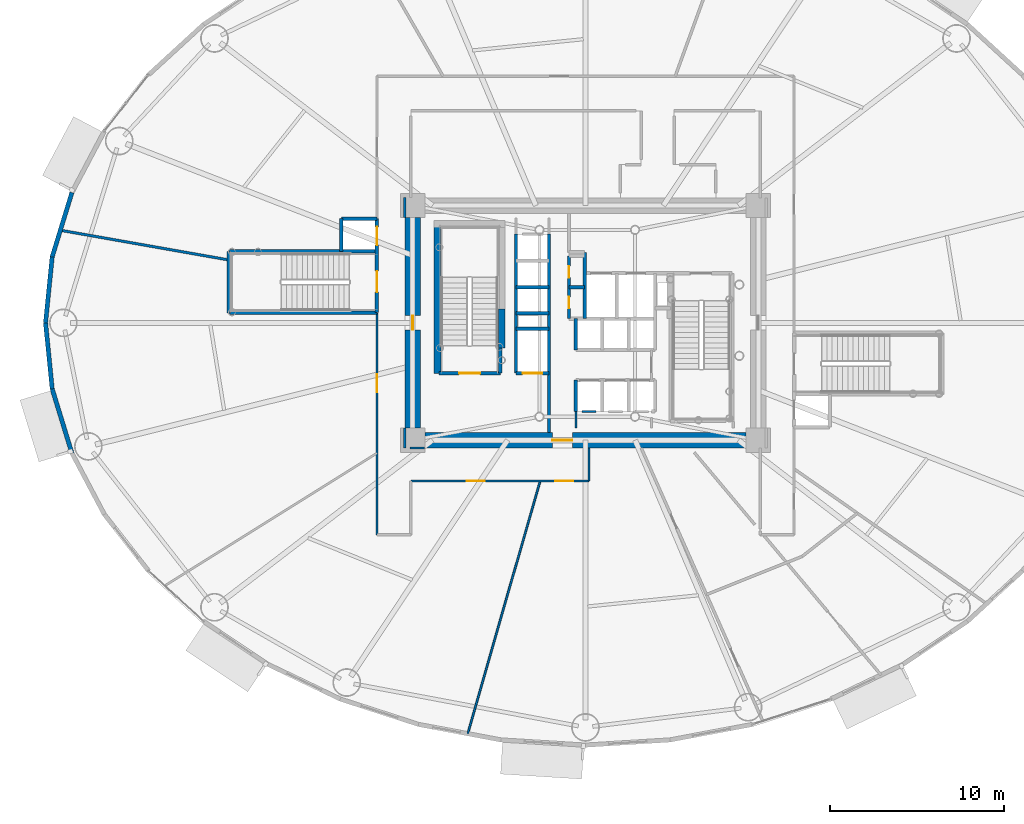
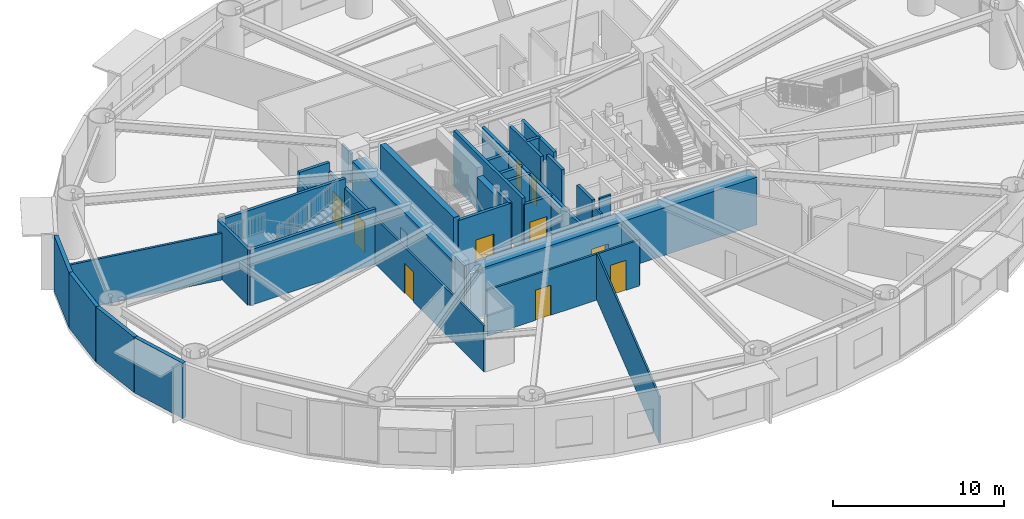
# One storey, part 13 of 28: 37 walls, 11 doors, 11 openings.
"""IFC4 building model written with IfcOpenShell, lengths in metres."""

from ifc_helpers import new_model, si_unit, direction, frame, frame_2d, origin, origin_2d, place, context, subcontext, project, spatial, rectangle, extrude, source, transform, mapped, material, layer, layer_set, type_object, element, fill, save


model = new_model("IFC4")

# Units and contexts
model_context = context("Model", 3, precision=1e-05, world=origin(), true_north=direction((0.0, 1.0)))
body_context = subcontext(model_context, "Body", "Model", "MODEL_VIEW")
ifc_project = project(units=[si_unit("LENGTHUNIT", "METRE"), si_unit("AREAUNIT", "SQUARE_METRE"), si_unit("VOLUMEUNIT", "CUBIC_METRE"), si_unit("PLANEANGLEUNIT", "RADIAN"), si_unit("MASSUNIT", "GRAM", prefix="KILO")], contexts=[model_context])

# Site, building, storey
site_placement = place(None, origin())
site = spatial("IfcSite", under=ifc_project, at=site_placement, CompositionType="ELEMENT")
building_placement = place(site_placement, origin())
building = spatial("IfcBuilding", under=site, at=building_placement, Name="Linh Dai School and Residence Tower", CompositionType="ELEMENT")
storey_placement = place(building_placement, frame((0.0, 0.0, 36.60009765625)))
storey = spatial("IfcBuildingStorey", under=building, at=storey_placement, Name="L08", CompositionType="ELEMENT", Elevation=36.60009765625)

# Walls
ifc_material_1 = material(Name="Precast Concrete B45 (C35/45)", Category="concrete")
ifc_layer_1 = layer(ifc_material_1, 0.25)
ifc_layer_set_1 = layer_set([ifc_layer_1], Name="Precast Concrete B45 (C35/45)")
wall_type_1 = type_object("IfcWallType", Name="EW-TC-250", PredefinedType="SOLIDWALL", material=ifc_layer_set_1)
wall_1_placement = place(storey_placement, frame((5.306640625, 30.796875, 0.0), z_axis=(0.0, 0.0, 1.0), x_axis=(0.293111631758, 0.956078224482, 0.0)))
element("IfcWall", 1, at=wall_1_placement, inside=storey, type_object=wall_type_1, Name="L08 Terracotta Exterior Wall 19", PredefinedType="SOLIDWALL", context=body_context, shape_type="SweptSolid", body=[
    extrude(rectangle(XDim=3.874755859375, YDim=0.25, at=frame_2d((1.9375, 0.0))), origin(), (0.0, 0.0, 1.0), 3.949951171875),
])
for number, where, z_axis, x_axis, name in (
    (2, (4.925048828125, 27.0, 0.0), (0.0, 0.0, 1.0), (0.099997795174, 0.994987658698, 0.0), "L08 Terracotta Exterior Wall 20"),
    (3, (5.306640625, 23.203125, 0.0), (0.0, 0.0, 1.0), (-0.099997795174, 0.994987658698, 0.0), "L08 Terracotta Exterior Wall 21"),
):
    element("IfcWall", number, at=place(storey_placement, frame(where, z_axis=z_axis, x_axis=x_axis)), inside=storey, type_object=wall_type_1, Name=name, PredefinedType="SOLIDWALL", context=body_context, shape_type="SweptSolid", body=[
        extrude(rectangle(XDim=3.81591796875, YDim=0.25, at=frame_2d((1.907958984375, 0.0))), origin(), (0.0, 0.0, 1.0), 3.949951171875),
    ])
wall_2_placement = place(storey_placement, frame((6.4423828125, 19.49853515625, 0.0), z_axis=(0.0, 0.0, 1.0), x_axis=(-0.293111631758, 0.956078224482, 0.0)))
element("IfcWall", 4, at=wall_2_placement, inside=storey, type_object=wall_type_1, Name="L08 Terracotta Exterior Wall 22", PredefinedType="SOLIDWALL", context=body_context, shape_type="SweptSolid", body=[
    extrude(rectangle(XDim=3.874755859375, YDim=0.25, at=frame_2d((1.9375, 0.0))), origin(), (0.0, 0.0, 1.0), 3.949951171875),
])

# Wall, opening, door
ifc_material_2 = material(Name="Autoclaved Aerated Concrete Blockwork", Category="masonry")
ifc_layer_2 = layer(ifc_material_2, 0.135009765625)
ifc_layer_set_2 = layer_set([ifc_layer_2], Name="Autoclaved Aerated Concrete Blockwork")
wall_type_2 = type_object("IfcWallType", Name="IW-CORR-135-EI90", PredefinedType="PARTITIONING", material=ifc_layer_set_2)
wall_3_placement = place(storey_placement, frame((24.0, 14.800048828125, 0.0), z_axis=(0.0, 0.0, 1.0), x_axis=(0.0, 1.0, 0.0)))
wall_3 = element("IfcWall", 5, at=wall_3_placement, inside=storey, type_object=wall_type_2, Name="L08 Interior Partition Wall 009", PredefinedType="PARTITIONING", context=body_context, shape_type="SweptSolid", body=[
    extrude(rectangle(XDim=12.780029296875, YDim=0.135009765625, at=frame_2d((6.39013671875, 0.0))), origin(), (0.0, 0.0, 1.0), 3.284912109375),
])
opening_1_placement = place(wall_3_placement, frame((8.19580078125, 0.0, 0.0)))
opening_1 = element("IfcOpeningElement", 6, at=opening_1_placement, cuts=wall_3, Name="Opening D04", PredefinedType="OPENING", context=body_context, shape_type="SweptSolid", body=[
    extrude(rectangle(XDim=1.050048828125, YDim=2.14990234375, at=origin_2d()), frame((0.52490234375, 0.07763671875, 1.074951171875), z_axis=(0.0, -1.0, 0.0), x_axis=(1.0, 0.0, 0.0)), (0.0, 0.0, 1.0), 0.155029296875),
])
ifc_material_3 = material(Name="Acoustic Vision-Panel Timber Classroom Door", Category="wood")
door_type_1 = type_object("IfcDoorType", Name="DR-SCH-1050x2150-FD60S", OperationType="NOTDEFINED", PredefinedType="DOOR", material=ifc_material_3)
shared_shape_1 = source(origin(), body_context, "Body", "SweptSolid", [
    extrude(rectangle(XDim=1.050048828125, YDim=2.14990234375, at=origin_2d()), frame((0.52490234375, 0.02490234375, 1.074951171875), z_axis=(0.0, -1.0, 0.0), x_axis=(1.0, 0.0, 0.0)), (0.0, 0.0, 1.0), 0.050048828125),
])
door_1_placement = place(opening_1_placement, origin())
door_1 = element("IfcDoor", 7, at=door_1_placement, inside=storey, type_object=door_type_1, Name="L08 Senior Classroom A Door", OperationType="SINGLE_SWING_LEFT", OverallHeight=2.14990234375, OverallWidth=1.050048828125, PredefinedType="DOOR", context=body_context, shape_type="MappedRepresentation", body=[
    mapped(shared_shape_1, transform((0.0, 0.0, 0.0), x_axis=(1.0, 0.0, 0.0), y_axis=(0.0, 1.0, 0.0), z_axis=(0.0, 0.0, 1.0), scale=1.0)),
])
fill(opening_1, door_1)

# Wall, openings, doors
wall_4_placement = place(storey_placement, frame((25.949951171875, 17.89990234375, 0.0), z_axis=(0.0, 0.0, 1.0), x_axis=(1.0, 0.0, 0.0)))
wall_4 = element("IfcWall", 8, at=wall_4_placement, inside=storey, type_object=wall_type_2, Name="L08 Interior Partition Wall 015", PredefinedType="PARTITIONING", context=body_context, shape_type="SweptSolid", body=[
    extrude(rectangle(XDim=10.25, YDim=0.135009765625, at=frame_2d((5.125, 0.0))), origin(), (0.0, 0.0, 1.0), 3.284912109375),
])
opening_2_placement = place(wall_4_placement, frame((3.21533203125, 0.0, 0.0)))
opening_2 = element("IfcOpeningElement", 9, at=opening_2_placement, cuts=wall_4, Name="Opening D04", PredefinedType="OPENING", context=body_context, shape_type="SweptSolid", body=[
    extrude(rectangle(XDim=1.050048828125, YDim=2.14990234375, at=origin_2d()), frame((0.52490234375, 0.07763671875, 1.074951171875), z_axis=(0.0, -1.0, 0.0), x_axis=(1.0, 0.0, 0.0)), (0.0, 0.0, 1.0), 0.155029296875),
])
opening_3_placement = place(wall_4_placement, frame((8.30029296875, 0.0, 0.0)))
opening_3 = element("IfcOpeningElement", 10, at=opening_3_placement, cuts=wall_4, Name="Opening D04", PredefinedType="OPENING", context=body_context, shape_type="SweptSolid", body=[
    extrude(rectangle(XDim=1.050048828125, YDim=2.14990234375, at=origin_2d()), frame((0.52490234375, 0.07763671875, 1.074951171875), z_axis=(0.0, -1.0, 0.0), x_axis=(1.0, 0.0, 0.0)), (0.0, 0.0, 1.0), 0.155029296875),
])
door_2_placement = place(opening_2_placement, origin())
door_2 = element("IfcDoor", 11, at=door_2_placement, inside=storey, type_object=door_type_1, Name="L08 Senior Classroom B Door", OperationType="SINGLE_SWING_RIGHT", OverallHeight=2.14990234375, OverallWidth=1.050048828125, PredefinedType="DOOR", context=body_context, shape_type="MappedRepresentation", body=[
    mapped(shared_shape_1, transform((0.0, 0.0, 0.0), x_axis=(1.0, 0.0, 0.0), y_axis=(0.0, 1.0, 0.0), z_axis=(0.0, 0.0, 1.0), scale=1.0)),
])
fill(opening_2, door_2)
door_3_placement = place(opening_3_placement, origin())
door_3 = element("IfcDoor", 12, at=door_3_placement, inside=storey, type_object=door_type_1, Name="L08 Senior Classroom C Door", OperationType="SINGLE_SWING_LEFT", OverallHeight=2.14990234375, OverallWidth=1.050048828125, PredefinedType="DOOR", context=body_context, shape_type="MappedRepresentation", body=[
    mapped(shared_shape_1, transform((0.0, 0.0, 0.0), x_axis=(1.0, 0.0, 0.0), y_axis=(0.0, 1.0, 0.0), z_axis=(0.0, 0.0, 1.0), scale=1.0)),
])
fill(opening_3, door_3)

# Walls
wall_5_placement = place(storey_placement, frame((36.199951171875, 17.89990234375, 0.0), z_axis=(0.0, 0.0, 1.0), x_axis=(0.0, 1.0, 0.0)))
element("IfcWall", 13, at=wall_5_placement, inside=storey, type_object=wall_type_2, Name="L08 Interior Partition Wall 038", PredefinedType="PARTITIONING", context=body_context, shape_type="SweptSolid", body=[
    extrude(rectangle(XDim=1.900146484375, YDim=0.135009765625, at=frame_2d((0.9501953125, 0.0))), origin(), (0.0, 0.0, 1.0), 3.284912109375),
])
wall_6_placement = place(storey_placement, frame((36.60009765625, 21.89990234375, 0.0), z_axis=(0.0, 0.0, 1.0), x_axis=(-1.0, 0.0, 0.0)))
element("IfcWall", 14, at=wall_6_placement, inside=storey, type_object=wall_type_2, Name="L08 Interior Partition Wall 069", PredefinedType="PARTITIONING", context=body_context, shape_type="SweptSolid", body=[
    extrude(rectangle(XDim=0.7900390625, YDim=0.135009765625, at=frame_2d((0.39501953125, 0.0))), origin(), (0.0, 0.0, 1.0), 3.949951171875),
])
wall_7_placement = place(storey_placement, frame((35.449951171875, 21.889892578125, 0.0), z_axis=(0.0, 0.0, 1.0), x_axis=(0.0, -1.0, 0.0)))
element("IfcWall", 15, at=wall_7_placement, inside=storey, type_object=wall_type_2, Name="L08 Interior Partition Wall 076", PredefinedType="PARTITIONING", context=body_context, shape_type="SweptSolid", body=[
    extrude(rectangle(XDim=0.929931640625, YDim=0.135009765625, at=frame_2d((0.46484375, 0.0))), origin(), (0.0, 0.0, 1.0), 3.534912109375),
])
for number, where, z_axis, x_axis, name in (
    (16, (25.60009765625, 34.199951171875, 0.0), (0.0, 0.0, 1.0), (0.0, -1.0, 0.0), "L08 Interior Partition Wall 091"),
    (17, (25.60009765625, 20.93994140625, 0.0), (0.0, 0.0, 1.0), (0.0, -1.0, 0.0), "L08 Interior Partition Wall 092"),
):
    element("IfcWall", number, at=place(storey_placement, frame(where, z_axis=z_axis, x_axis=x_axis)), inside=storey, type_object=wall_type_2, Name=name, PredefinedType="PARTITIONING", context=body_context, shape_type="SweptSolid", body=[
        extrude(rectangle(XDim=1.139892578125, YDim=0.135009765625, at=frame_2d((0.56982421875, 0.0))), origin(), (0.0, 0.0, 1.0), 3.949951171875),
    ])
wall_8_placement = place(storey_placement, frame((25.907470703125, 19.800048828125, 0.0), z_axis=(0.0, 0.0, 1.0), x_axis=(1.0, 0.0, 0.0)))
element("IfcWall", 18, at=wall_8_placement, inside=storey, type_object=wall_type_2, Name="L08 Interior Partition Wall 093", PredefinedType="PARTITIONING", context=body_context, shape_type="SweptSolid", body=[
    extrude(rectangle(XDim=0.83251953125, YDim=0.135009765625, at=frame_2d((0.416259765625, 0.0))), origin(), (0.0, 0.0, 1.0), 3.284912109375),
])
ifc_material_4 = material(Name="Acoustic Operable Timber Panel Partition", Category="wood")
ifc_layer_3 = layer(ifc_material_4, 0.110107421875)
ifc_layer_set_3 = layer_set([ifc_layer_3], Name="Acoustic Operable Timber Panel Partition")
wall_type_3 = type_object("IfcWallType", Name="IW-MOV-110", PredefinedType="MOVABLE", material=ifc_layer_set_3)
wall_9_placement = place(storey_placement, frame((29.218505859375, 3.349853515625, 0.0), z_axis=(0.0, 0.0, 1.0), x_axis=(0.275634900318, 0.961262400038, 0.0)))
element("IfcWall", 19, at=wall_9_placement, inside=storey, type_object=wall_type_3, Name="L08 Interior Partition Wall 017", PredefinedType="MOVABLE", context=body_context, shape_type="SweptSolid", body=[
    extrude(rectangle(XDim=15.136474609375, YDim=0.110107421875, at=frame_2d((7.568359375, 0.0))), origin(), (0.0, 0.0, 1.0), 3.3349609375),
])
ifc_layer_4 = layer(ifc_material_2, 0.14990234375)
ifc_layer_set_4 = layer_set([ifc_layer_4], Name="Autoclaved Aerated Concrete Blockwork")
wall_type_4 = type_object("IfcWallType", Name="IW-SCH-150-EI60", PredefinedType="PARTITIONING", material=ifc_layer_set_4)
wall_10_placement = place(storey_placement, frame((5.771484375, 32.330078125, 0.0), z_axis=(0.0, 0.0, 1.0), x_axis=(0.984806985247, -0.173652531825, 0.0)))
element("IfcWall", 20, at=wall_10_placement, inside=storey, type_object=wall_type_4, Name="L08 Interior Partition Wall 001", PredefinedType="PARTITIONING", context=body_context, shape_type="SweptSolid", body=[
    extrude(rectangle(XDim=9.858154296875, YDim=0.14990234375, at=frame_2d((4.92919921875, 0.0))), origin(), (0.0, 0.0, 1.0), 3.3349609375),
])
ifc_material_5 = material(Name="Concrete B45 (C35/45)", Category="concrete")
ifc_layer_5 = layer(ifc_material_5, 0.199951171875)
ifc_layer_set_5 = layer_set([ifc_layer_5], Name="Concrete B45 (C35/45)")
wall_type_5 = type_object("IfcWallType", Name="IW-SHAFT-200-EI120", PredefinedType="PARTITIONING", material=ifc_layer_set_5)
wall_11_placement = place(storey_placement, frame((15.47998046875, 27.580078125, 0.0), z_axis=(0.0, 0.0, 1.0), x_axis=(0.0, 1.0, 0.0)))
element("IfcWall", 21, at=wall_11_placement, inside=storey, type_object=wall_type_5, Name="L08 Interior Partition Wall 003", PredefinedType="PARTITIONING", context=body_context, shape_type="SweptSolid", body=[
    extrude(rectangle(XDim=3.5400390625, YDim=0.199951171875, at=frame_2d((1.77001953125, 0.0))), origin(), (0.0, 0.0, 1.0), 3.949951171875),
])
for number, where, z_axis, x_axis, name in (
    (22, (15.47998046875, 27.580078125, 0.0), (0.0, 0.0, 1.0), (1.0, 0.0, 0.0), "L08 Interior Partition Wall 004"),
    (23, (15.47998046875, 31.1201171875, 0.0), (0.0, 0.0, 1.0), (1.0, 0.0, 0.0), "L08 Interior Partition Wall 005"),
):
    element("IfcWall", number, at=place(storey_placement, frame(where, z_axis=z_axis, x_axis=x_axis)), inside=storey, type_object=wall_type_5, Name=name, PredefinedType="PARTITIONING", context=body_context, shape_type="SweptSolid", body=[
        extrude(rectangle(XDim=8.52001953125, YDim=0.199951171875, at=frame_2d((4.260009765625, 0.0))), origin(), (0.0, 0.0, 1.0), 3.949951171875),
    ])
wall_12_placement = place(storey_placement, frame((21.949951171875, 31.1201171875, 0.0), z_axis=(0.0, 0.0, 1.0), x_axis=(0.0, 1.0, 0.0)))
element("IfcWall", 24, at=wall_12_placement, inside=storey, type_object=wall_type_5, Name="L08 Interior Partition Wall 006", PredefinedType="PARTITIONING", context=body_context, shape_type="SweptSolid", body=[
    extrude(rectangle(XDim=1.8798828125, YDim=0.199951171875, at=frame_2d((0.93994140625, 0.0))), origin(), (0.0, 0.0, 1.0), 3.284912109375),
])
wall_13_placement = place(storey_placement, frame((21.949951171875, 33.0, 0.0), z_axis=(0.0, 0.0, 1.0), x_axis=(1.0, 0.0, 0.0)))
element("IfcWall", 25, at=wall_13_placement, inside=storey, type_object=wall_type_5, Name="L08 Interior Partition Wall 007", PredefinedType="PARTITIONING", context=body_context, shape_type="SweptSolid", body=[
    extrude(rectangle(XDim=2.050048828125, YDim=0.199951171875, at=frame_2d((1.02490234375, 0.0))), origin(), (0.0, 0.0, 1.0), 3.949951171875),
])

# Wall, openings, doors
wall_14_placement = place(storey_placement, frame((24.0, 27.590087890625, 0.0), z_axis=(0.0, 0.0, 1.0), x_axis=(0.0, 1.0, 0.0)))
wall_14 = element("IfcWall", 26, at=wall_14_placement, inside=storey, type_object=wall_type_5, Name="L08 Interior Partition Wall 011", PredefinedType="PARTITIONING", context=body_context, shape_type="SweptSolid", body=[
    extrude(rectangle(XDim=5.409912109375, YDim=0.199951171875, at=frame_2d((2.705078125, 0.0))), origin(), (0.0, 0.0, 1.0), 3.284912109375),
])
opening_4_placement = place(wall_14_placement, frame((1.18505859375, 0.0, 0.0)))
opening_4 = element("IfcOpeningElement", 27, at=opening_4_placement, cuts=wall_14, Name="Opening D01", PredefinedType="OPENING", context=body_context, shape_type="SweptSolid", body=[
    extrude(rectangle(XDim=1.199951171875, YDim=2.14990234375, at=origin_2d()), frame((0.60009765625, 0.10986328125, 1.074951171875), z_axis=(0.0, -1.0, 0.0), x_axis=(1.0, 0.0, 0.0)), (0.0, 0.0, 1.0), 0.219970703125),
])
opening_5_placement = place(wall_14_placement, frame((3.889892578125, 0.0, 0.0)))
opening_5 = element("IfcOpeningElement", 28, at=opening_5_placement, cuts=wall_14, Name="Opening LD-SL1", PredefinedType="OPENING", context=body_context, shape_type="SweptSolid", body=[
    extrude(rectangle(XDim=1.050048828125, YDim=2.14990234375, at=origin_2d()), frame((0.52490234375, 0.10986328125, 1.074951171875), z_axis=(0.0, -1.0, 0.0), x_axis=(1.0, 0.0, 0.0)), (0.0, 0.0, 1.0), 0.219970703125),
])
ifc_material_6 = material(Name="Fire-Rated Steel Door Leaf", Category="steel")
door_type_2 = type_object("IfcDoorType", Name="DR-STAIR-1200x2150-FD90S", OperationType="NOTDEFINED", PredefinedType="DOOR", material=ifc_material_6)
shared_shape_2 = source(origin(), body_context, "Body", "SweptSolid", [
    extrude(rectangle(XDim=1.199951171875, YDim=2.14990234375, at=origin_2d()), frame((0.60009765625, 0.02490234375, 1.074951171875), z_axis=(0.0, -1.0, 0.0), x_axis=(1.0, 0.0, 0.0)), (0.0, 0.0, 1.0), 0.050048828125),
])
door_4_placement = place(opening_4_placement, origin())
door_4 = element("IfcDoor", 29, at=door_4_placement, inside=storey, type_object=door_type_2, Name="L08 Exit Stair STS1 Door", OperationType="SINGLE_SWING_LEFT", OverallHeight=2.14990234375, OverallWidth=1.199951171875, PredefinedType="DOOR", context=body_context, shape_type="MappedRepresentation", body=[
    mapped(shared_shape_2, transform((0.0, 0.0, 0.0), x_axis=(1.0, 0.0, 0.0), y_axis=(0.0, 1.0, 0.0), z_axis=(0.0, 0.0, 1.0), scale=1.0)),
])
fill(opening_4, door_4)
ifc_material_7 = material(Name="Brushed Stainless Steel Lift Landing Door", Category="steel")
door_type_3 = type_object("IfcDoorType", Name="DR-LD-PASS-1050x2150", OperationType="DOUBLE_DOOR_SLIDING", PredefinedType="USERDEFINED", material=ifc_material_7)
shared_shape_3 = source(origin(), body_context, "Body", "SweptSolid", [
    extrude(rectangle(XDim=1.050048828125, YDim=2.14990234375, at=origin_2d()), frame((0.52490234375, 0.02490234375, 1.074951171875), z_axis=(0.0, -1.0, 0.0), x_axis=(1.0, 0.0, 0.0)), (0.0, 0.0, 1.0), 0.050048828125),
])
door_5_placement = place(opening_5_placement, origin())
door_5 = element("IfcDoor", 30, at=door_5_placement, inside=storey, type_object=door_type_3, Name="L08 Lift SL1 Sliding Landing Door", ObjectType="LANDING DOOR", OperationType="DOUBLE_DOOR_SLIDING", OverallHeight=2.14990234375, OverallWidth=1.050048828125, PredefinedType="USERDEFINED", context=body_context, shape_type="MappedRepresentation", body=[
    mapped(shared_shape_3, transform((0.0, 0.0, 0.0), x_axis=(1.0, 0.0, 0.0), y_axis=(0.0, 1.0, 0.0), z_axis=(0.0, 0.0, 1.0), scale=1.0)),
])
fill(opening_5, door_5)

# Wall, opening, door
wall_15_placement = place(storey_placement, frame((27.56005859375, 24.10009765625, 0.0), z_axis=(0.0, 0.0, 1.0), x_axis=(1.0, 0.0, 0.0)))
wall_15 = element("IfcWall", 31, at=wall_15_placement, inside=storey, type_object=wall_type_5, Name="L08 Interior Partition Wall 016", PredefinedType="PARTITIONING", context=body_context, shape_type="SweptSolid", body=[
    extrude(rectangle(XDim=3.5400390625, YDim=0.199951171875, at=frame_2d((1.77001953125, 0.0))), origin(), (0.0, 0.0, 1.0), 3.949951171875),
])
opening_6_placement = place(wall_15_placement, frame((1.169921875, 0.0, 0.0)))
opening_6 = element("IfcOpeningElement", 32, at=opening_6_placement, cuts=wall_15, Name="Opening D01", PredefinedType="OPENING", context=body_context, shape_type="SweptSolid", body=[
    extrude(rectangle(XDim=1.199951171875, YDim=2.14990234375, at=origin_2d()), frame((0.60009765625, 0.10986328125, 1.074951171875), z_axis=(0.0, -1.0, 0.0), x_axis=(1.0, 0.0, 0.0)), (0.0, 0.0, 1.0), 0.219970703125),
])
door_6_placement = place(opening_6_placement, origin())
door_6 = element("IfcDoor", 33, at=door_6_placement, inside=storey, type_object=door_type_2, Name="L08 Core Smokeproof Exit Stair ST1 Door", OperationType="SINGLE_SWING_LEFT", OverallHeight=2.14990234375, OverallWidth=1.199951171875, PredefinedType="DOOR", context=body_context, shape_type="MappedRepresentation", body=[
    mapped(shared_shape_2, transform((0.0, 0.0, 0.0), x_axis=(1.0, 0.0, 0.0), y_axis=(0.0, 1.0, 0.0), z_axis=(0.0, 0.0, 1.0), scale=1.0)),
])
fill(opening_6, door_6)

# Walls
wall_16_placement = place(storey_placement, frame((31.10009765625, 24.10009765625, 0.0), z_axis=(0.0, 0.0, 1.0), x_axis=(0.0, 1.0, 0.0)))
element("IfcWall", 34, at=wall_16_placement, inside=storey, type_object=wall_type_5, Name="L08 Interior Partition Wall 018", PredefinedType="PARTITIONING", context=body_context, shape_type="SweptSolid", body=[
    extrude(rectangle(XDim=1.43994140625, YDim=0.199951171875, at=frame_2d((0.719970703125, 0.0))), origin(), (0.0, 0.0, 1.0), 3.949951171875),
])
wall_17_placement = place(storey_placement, frame((32.0, 24.10009765625, 0.0), z_axis=(0.0, 0.0, 1.0), x_axis=(0.0, 1.0, 0.0)))
element("IfcWall", 35, at=wall_17_placement, inside=storey, type_object=wall_type_5, Name="L08 Interior Partition Wall 019", PredefinedType="PARTITIONING", context=body_context, shape_type="SweptSolid", body=[
    extrude(rectangle(XDim=8.0, YDim=0.199951171875, at=frame_2d((4.0, 0.0))), origin(), (0.0, 0.0, 1.0), 3.949951171875),
])

# Wall, opening, door
wall_18_placement = place(storey_placement, frame((32.0, 24.10009765625, 0.0), z_axis=(0.0, 0.0, 1.0), x_axis=(1.0, 0.0, 0.0)))
wall_18 = element("IfcWall", 36, at=wall_18_placement, inside=storey, type_object=wall_type_5, Name="L08 Interior Partition Wall 020", PredefinedType="PARTITIONING", context=body_context, shape_type="SweptSolid", body=[
    extrude(rectangle(XDim=1.89990234375, YDim=0.199951171875, at=frame_2d((0.949951171875, 0.0))), origin(), (0.0, 0.0, 1.0), 3.534912109375),
])
opening_7_placement = place(wall_18_placement, frame((0.375, 0.0, 0.0)))
opening_7 = element("IfcOpeningElement", 37, at=opening_7_placement, cuts=wall_18, Name="Opening LD-FF2", PredefinedType="OPENING", context=body_context, shape_type="SweptSolid", body=[
    extrude(rectangle(XDim=1.14990234375, YDim=2.14990234375, at=origin_2d()), frame((0.574951171875, 0.10986328125, 1.074951171875), z_axis=(0.0, -1.0, 0.0), x_axis=(1.0, 0.0, 0.0)), (0.0, 0.0, 1.0), 0.219970703125),
])
ifc_material_8 = material(Name="Fire-Rated Stainless Steel Firefighting Lift Door", Category="steel")
door_type_4 = type_object("IfcDoorType", Name="DR-LD-FF-1150x2150-FD120", OperationType="DOUBLE_DOOR_SLIDING", PredefinedType="USERDEFINED", material=ifc_material_8)
shared_shape_4 = source(origin(), body_context, "Body", "SweptSolid", [
    extrude(rectangle(XDim=1.14990234375, YDim=2.14990234375, at=origin_2d()), frame((0.574951171875, 0.02490234375, 1.074951171875), z_axis=(0.0, -1.0, 0.0), x_axis=(1.0, 0.0, 0.0)), (0.0, 0.0, 1.0), 0.050048828125),
])
door_7_placement = place(opening_7_placement, origin())
door_7 = element("IfcDoor", 38, at=door_7_placement, inside=storey, type_object=door_type_4, Name="L08 Lift FF2 Sliding Landing Door", ObjectType="LANDING DOOR", OperationType="DOUBLE_DOOR_SLIDING", OverallHeight=2.14990234375, OverallWidth=1.14990234375, PredefinedType="USERDEFINED", context=body_context, shape_type="MappedRepresentation", body=[
    mapped(shared_shape_4, transform((0.0, 0.0, 0.0), x_axis=(1.0, 0.0, 0.0), y_axis=(0.0, 1.0, 0.0), z_axis=(0.0, 0.0, 1.0), scale=1.0)),
])
fill(opening_7, door_7)

# Walls
for number, where, z_axis, x_axis, name in (
    (39, (32.0, 26.64990234375, 0.0), (0.0, 0.0, 1.0), (1.0, 0.0, 0.0), "L08 Interior Partition Wall 021"),
    (40, (32.0, 27.550048828125, 0.0), (0.0, 0.0, 1.0), (1.0, 0.0, 0.0), "L08 Interior Partition Wall 022"),
    (41, (32.0, 29.06005859375, 0.0), (0.0, 0.0, 1.0), (1.0, 0.0, 0.0), "L08 Interior Partition Wall 023"),
):
    element("IfcWall", number, at=place(storey_placement, frame(where, z_axis=z_axis, x_axis=x_axis)), inside=storey, type_object=wall_type_5, Name=name, PredefinedType="PARTITIONING", context=body_context, shape_type="SweptSolid", body=[
        extrude(rectangle(XDim=1.89990234375, YDim=0.199951171875, at=frame_2d((0.949951171875, 0.0))), origin(), (0.0, 0.0, 1.0), 3.534912109375),
    ])
wall_19_placement = place(storey_placement, frame((33.89990234375, 20.699951171875, 0.0), z_axis=(0.0, 0.0, 1.0), x_axis=(0.0, 1.0, 0.0)))
element("IfcWall", 42, at=wall_19_placement, inside=storey, type_object=wall_type_5, Name="L08 Interior Partition Wall 025", PredefinedType="PARTITIONING", context=body_context, shape_type="SweptSolid", body=[
    extrude(rectangle(XDim=11.400146484375, YDim=0.199951171875, at=frame_2d((5.7001953125, 0.0))), origin(), (0.0, 0.0, 1.0), 3.534912109375),
])

# Wall, openings, doors
wall_20_placement = place(storey_placement, frame((35.050048828125, 27.25, 0.0), z_axis=(0.0, 0.0, 1.0), x_axis=(0.0, 1.0, 0.0)))
wall_20 = element("IfcWall", 43, at=wall_20_placement, inside=storey, type_object=wall_type_5, Name="L08 Interior Partition Wall 026", PredefinedType="PARTITIONING", context=body_context, shape_type="SweptSolid", body=[
    extrude(rectangle(XDim=3.60009765625, YDim=0.199951171875, at=frame_2d((1.800048828125, 0.0))), origin(), (0.0, 0.0, 1.0), 3.949951171875),
])
opening_8_placement = place(wall_20_placement, frame((0.590087890625, 0.0, 0.0)))
opening_8 = element("IfcOpeningElement", 44, at=opening_8_placement, cuts=wall_20, Name="Opening AD1", PredefinedType="OPENING", context=body_context, shape_type="SweptSolid", body=[
    extrude(rectangle(XDim=0.659912109375, YDim=2.050048828125, at=origin_2d()), frame((0.330078125, 0.10986328125, 1.02490234375), z_axis=(0.0, -1.0, 0.0), x_axis=(1.0, 0.0, 0.0)), (0.0, 0.0, 1.0), 0.219970703125),
])
opening_9_placement = place(wall_20_placement, frame((2.35009765625, 0.0, 0.0)))
opening_9 = element("IfcOpeningElement", 45, at=opening_9_placement, cuts=wall_20, Name="Opening AD1", PredefinedType="OPENING", context=body_context, shape_type="SweptSolid", body=[
    extrude(rectangle(XDim=0.659912109375, YDim=2.050048828125, at=origin_2d()), frame((0.330078125, 0.10986328125, 1.02490234375), z_axis=(0.0, -1.0, 0.0), x_axis=(1.0, 0.0, 0.0)), (0.0, 0.0, 1.0), 0.219970703125),
])
ifc_material_9 = material(Name="Fire-Rated Steel Riser Access Door", Category="steel")
door_type_5 = type_object("IfcDoorType", Name="DR-ACC-660x2050-FD90S", OperationType="NOTDEFINED", PredefinedType="USERDEFINED", material=ifc_material_9)
shared_shape_5 = source(origin(), body_context, "Body", "SweptSolid", [
    extrude(rectangle(XDim=0.659912109375, YDim=2.050048828125, at=origin_2d()), frame((0.330078125, 0.02490234375, 1.02490234375), z_axis=(0.0, -1.0, 0.0), x_axis=(1.0, 0.0, 0.0)), (0.0, 0.0, 1.0), 0.050048828125),
])
door_8_placement = place(opening_8_placement, origin())
door_8 = element("IfcDoor", 46, at=door_8_placement, inside=storey, type_object=door_type_5, Name="L08 Telecom and Data Riser Access Door", ObjectType="ACCESS DOOR", OperationType="SINGLE_SWING_LEFT", OverallHeight=2.050048828125, OverallWidth=0.659912109375, PredefinedType="USERDEFINED", context=body_context, shape_type="MappedRepresentation", body=[
    mapped(shared_shape_5, transform((0.0, 0.0, 0.0), x_axis=(1.0, 0.0, 0.0), y_axis=(0.0, 1.0, 0.0), z_axis=(0.0, 0.0, 1.0), scale=1.0)),
])
fill(opening_8, door_8)
door_9_placement = place(opening_9_placement, origin())
door_9 = element("IfcDoor", 47, at=door_9_placement, inside=storey, type_object=door_type_5, Name="L08 Mechanical and Plumbing Riser Access Door", ObjectType="ACCESS DOOR", OperationType="SINGLE_SWING_RIGHT", OverallHeight=2.050048828125, OverallWidth=0.659912109375, PredefinedType="USERDEFINED", context=body_context, shape_type="MappedRepresentation", body=[
    mapped(shared_shape_5, transform((0.0, 0.0, 0.0), x_axis=(1.0, 0.0, 0.0), y_axis=(0.0, 1.0, 0.0), z_axis=(0.0, 0.0, 1.0), scale=1.0)),
])
fill(opening_9, door_9)

# Walls
wall_21_placement = place(storey_placement, frame((35.050048828125, 29.050048828125, 0.0), z_axis=(0.0, 0.0, 1.0), x_axis=(1.0, 0.0, 0.0)))
element("IfcWall", 48, at=wall_21_placement, inside=storey, type_object=wall_type_5, Name="L08 Interior Partition Wall 028", PredefinedType="PARTITIONING", context=body_context, shape_type="SweptSolid", body=[
    extrude(rectangle(XDim=0.89990234375, YDim=0.199951171875, at=frame_2d((0.449951171875, 0.0))), origin(), (0.0, 0.0, 1.0), 3.949951171875),
])
for number, where, z_axis, x_axis, name in (
    (49, (35.449951171875, 21.89990234375, 0.0), (0.0, 0.0, 1.0), (0.0, 1.0, 0.0), "L08 Interior Partition Wall 032"),
    (50, (35.449951171875, 25.449951171875, 0.0), (0.0, 0.0, 1.0), (0.0, 1.0, 0.0), "L08 Interior Partition Wall 034"),
):
    element("IfcWall", number, at=place(storey_placement, frame(where, z_axis=z_axis, x_axis=x_axis)), inside=storey, type_object=wall_type_5, Name=name, PredefinedType="PARTITIONING", context=body_context, shape_type="SweptSolid", body=[
        extrude(rectangle(XDim=1.800048828125, YDim=0.199951171875, at=frame_2d((0.89990234375, 0.0))), origin(), (0.0, 0.0, 1.0), 3.949951171875),
    ])
wall_22_placement = place(storey_placement, frame((35.949951171875, 27.25, 0.0), z_axis=(0.0, 0.0, 1.0), x_axis=(0.0, 1.0, 0.0)))
element("IfcWall", 51, at=wall_22_placement, inside=storey, type_object=wall_type_5, Name="L08 Interior Partition Wall 036", PredefinedType="PARTITIONING", context=body_context, shape_type="SweptSolid", body=[
    extrude(rectangle(XDim=3.800048828125, YDim=0.199951171875, at=frame_2d((1.89990234375, 0.0))), origin(), (0.0, 0.0, 1.0), 3.949951171875),
])
ifc_layer_6 = layer(ifc_material_5, 0.39990234375)
ifc_layer_set_6 = layer_set([ifc_layer_6], Name="Concrete B45 (C35/45)")
wall_type_6 = type_object("IfcWallType", Name="WL-CORE400", PredefinedType="SHEAR", material=ifc_layer_set_6)
wall_23_placement = place(storey_placement, frame((27.47998046875, 24.10009765625, 0.0), z_axis=(0.0, 0.0, 1.0), x_axis=(0.0, 1.0, 0.0)))
element("IfcWall", 52, at=wall_23_placement, inside=storey, type_object=wall_type_6, Name="L08 Core Stair ST1 Bearing Wall W", PredefinedType="SHEAR", context=body_context, shape_type="SweptSolid", body=[
    extrude(rectangle(XDim=8.599853515625, YDim=0.39990234375, at=frame_2d((4.2998046875, 0.0))), origin(), (0.0, 0.0, 1.0), 4.199951171875),
])
wall_24_placement = place(storey_placement, frame((31.179931640625, 25.550048828125, 0.0), z_axis=(0.0, 0.0, 1.0), x_axis=(0.0, 1.0, 0.0)))
element("IfcWall", 53, at=wall_24_placement, inside=storey, type_object=wall_type_6, Name="L08 Internal Core Shear Wall IW", PredefinedType="SHEAR", context=body_context, shape_type="SweptSolid", body=[
    extrude(rectangle(XDim=2.25, YDim=0.39990234375, at=frame_2d((1.125, 0.0))), origin(), (0.0, 0.0, 1.0), 3.5498046875),
])

# Wall, opening, door
ifc_material_10 = material(Name="Concrete B60 (C50/60)", Category="concrete")
ifc_layer_7 = layer(ifc_material_10, 0.89990234375)
ifc_layer_set_7 = layer_set([ifc_layer_7], Name="Concrete B60 (C50/60)")
wall_type_7 = type_object("IfcWallType", Name="WL-CORE900", PredefinedType="SHEAR", material=ifc_layer_set_7)
wall_25_placement = place(storey_placement, frame((45.25, 20.25, 0.0), z_axis=(0.0, 0.0, 1.0), x_axis=(-1.0, 0.0, 0.0)))
wall_25 = element("IfcWall", 54, at=wall_25_placement, inside=storey, type_object=wall_type_7, Name="L08 Central Core Shear Wall S", PredefinedType="SHEAR", context=body_context, shape_type="SweptSolid", body=[
    extrude(rectangle(XDim=18.5, YDim=0.89990234375, at=frame_2d((9.25, 0.0))), origin(), (0.0, 0.0, 1.0), 3.39990234375),
])
opening_10_placement = place(wall_25_placement, frame((10.0, 0.0, 0.0)))
opening_10 = element("IfcOpeningElement", 55, at=opening_10_placement, cuts=wall_25, Name="Opening D02", PredefinedType="OPENING", context=body_context, shape_type="SweptSolid", body=[
    extrude(rectangle(XDim=1.14990234375, YDim=2.14990234375, at=origin_2d()), frame((0.574951171875, 0.4599609375, 1.074951171875), z_axis=(0.0, -1.0, 0.0), x_axis=(1.0, 0.0, 0.0)), (0.0, 0.0, 1.0), 0.919921875),
])
ifc_material_11 = material(Name="Fire-Rated Glazed Steel Lobby Door", Category="steel")
door_type_6 = type_object("IfcDoorType", Name="DR-LOBBY-1150x2150-FD90S", OperationType="NOTDEFINED", PredefinedType="DOOR", material=ifc_material_11)
shared_shape_6 = source(origin(), body_context, "Body", "SweptSolid", [
    extrude(rectangle(XDim=1.14990234375, YDim=2.14990234375, at=origin_2d()), frame((0.574951171875, 0.02490234375, 1.074951171875), z_axis=(0.0, -1.0, 0.0), x_axis=(1.0, 0.0, 0.0)), (0.0, 0.0, 1.0), 0.050048828125),
])
door_10_placement = place(opening_10_placement, origin())
door_10 = element("IfcDoor", 56, at=door_10_placement, inside=storey, type_object=door_type_6, Name="L08 Passenger Foyer Access Door", OperationType="SINGLE_SWING_RIGHT", OverallHeight=2.14990234375, OverallWidth=1.14990234375, PredefinedType="DOOR", context=body_context, shape_type="MappedRepresentation", body=[
    mapped(shared_shape_6, transform((0.0, 0.0, 0.0), x_axis=(1.0, 0.0, 0.0), y_axis=(0.0, 1.0, 0.0), z_axis=(0.0, 0.0, 1.0), scale=1.0)),
])
fill(opening_10, door_10)

wall_26_placement = place(storey_placement, frame((26.050048828125, 20.949951171875, 0.0), z_axis=(0.0, 0.0, 1.0), x_axis=(0.0, 1.0, 0.0)))
wall_26 = element("IfcWall", 57, at=wall_26_placement, inside=storey, type_object=wall_type_7, Name="L08 Central Core Shear Wall W", PredefinedType="SHEAR", context=body_context, shape_type="SweptSolid", body=[
    extrude(rectangle(XDim=12.10009765625, YDim=0.89990234375, at=frame_2d((6.050048828125, 0.0))), origin(), (0.0, 0.0, 1.0), 3.39990234375),
])
opening_11_placement = place(wall_26_placement, frame((5.639892578125, 0.0, 0.0)))
opening_11 = element("IfcOpeningElement", 58, at=opening_11_placement, cuts=wall_26, Name="Opening D06", PredefinedType="OPENING", context=body_context, shape_type="SweptSolid", body=[
    extrude(rectangle(XDim=0.820068359375, YDim=2.10009765625, at=origin_2d()), frame((0.41015625, 0.4599609375, 1.050048828125), z_axis=(0.0, -1.0, 0.0), x_axis=(1.0, 0.0, 0.0)), (0.0, 0.0, 1.0), 0.919921875),
])
ifc_material_12 = material(Name="Moisture-Resistant Timber Bathroom Door", Category="wood")
door_type_7 = type_object("IfcDoorType", Name="DR-WET-820x2100", OperationType="NOTDEFINED", PredefinedType="DOOR", material=ifc_material_12)
shared_shape_7 = source(origin(), body_context, "Body", "SweptSolid", [
    extrude(rectangle(XDim=0.820068359375, YDim=2.10009765625, at=origin_2d()), frame((0.41015625, 0.02490234375, 1.050048828125), z_axis=(0.0, -1.0, 0.0), x_axis=(1.0, 0.0, 0.0)), (0.0, 0.0, 1.0), 0.050048828125),
])
door_11_placement = place(opening_11_placement, origin())
door_11 = element("IfcDoor", 59, at=door_11_placement, inside=storey, type_object=door_type_7, Name="L08 Firefighting Lobby Door", OperationType="SINGLE_SWING_RIGHT", OverallHeight=2.10009765625, OverallWidth=0.820068359375, PredefinedType="DOOR", context=body_context, shape_type="MappedRepresentation", body=[
    mapped(shared_shape_7, transform((0.0, 0.0, 0.0), x_axis=(1.0, 0.0, 0.0), y_axis=(0.0, 1.0, 0.0), z_axis=(0.0, 0.0, 1.0), scale=1.0)),
])
fill(opening_11, door_11)

save(model, "model.ifc")
